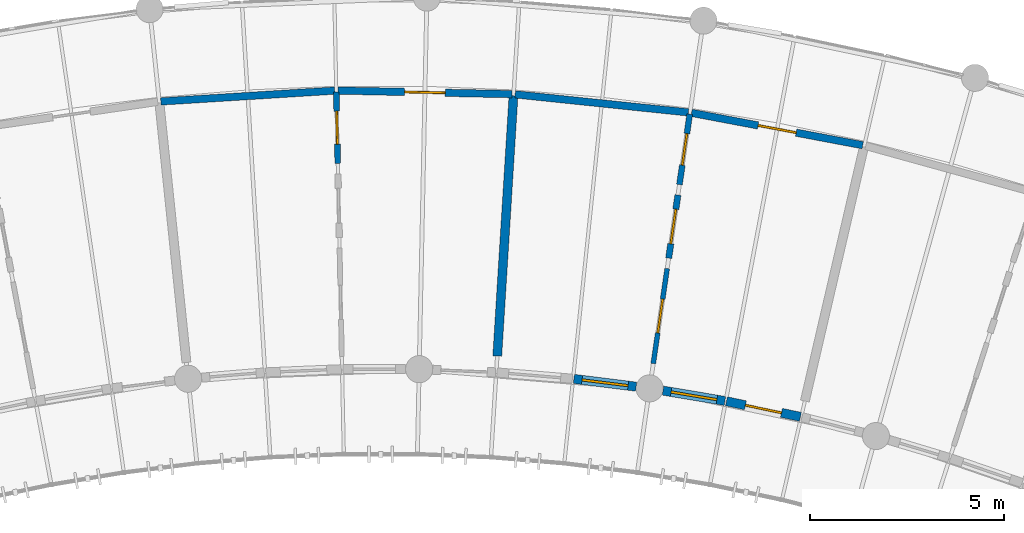
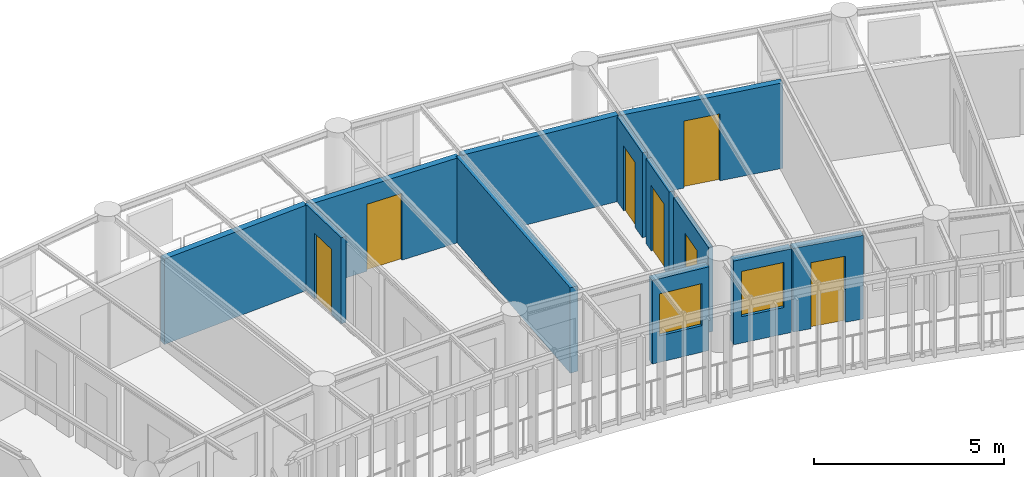
# One storey, part 107 of 137: 12 walls, 7 doors, 2 windows, 9 openings.
"""IFC4 building model written with IfcOpenShell, lengths in metres."""

from ifc_helpers import new_model, si_unit, direction, frame, frame_2d, origin, place, context, subcontext, project, spatial, rectangle, extrude, material, layer, layer_set, type_object, element, fill, save


model = new_model("IFC4")

# Units and contexts
model_context = context("Model", 3, precision=1e-05, world=origin(), true_north=direction((0.0, 1.0)))
body_context = subcontext(model_context, "Body", "Model", "MODEL_VIEW")
ifc_project = project(units=[si_unit("LENGTHUNIT", "METRE"), si_unit("AREAUNIT", "SQUARE_METRE"), si_unit("VOLUMEUNIT", "CUBIC_METRE"), si_unit("PLANEANGLEUNIT", "RADIAN"), si_unit("MASSUNIT", "GRAM", prefix="KILO"), si_unit("POWERUNIT", "WATT"), si_unit("THERMODYNAMICTEMPERATUREUNIT", "KELVIN")], contexts=[model_context])

# Site, building, storey
site_placement = place(None, origin())
site = spatial("IfcSite", under=ifc_project, at=site_placement, CompositionType="ELEMENT")
building_placement = place(site_placement, origin())
building = spatial("IfcBuilding", under=site, at=building_placement, Name="Ruvembo Vaulted Housing Court", CompositionType="ELEMENT")
storey_placement = place(building_placement, frame((0.0, 0.0, 4.5)))
storey = spatial("IfcBuildingStorey", under=building, at=storey_placement, Name="L01", CompositionType="ELEMENT", Elevation=4.5)

# Wall
ifc_material_1 = material(Name="Concrete Blockwork 190", Category="masonry")
ifc_layer_1 = layer(ifc_material_1, 0.18994140625, Name="Concrete Blockwork 190")
ifc_layer_set_1 = layer_set([ifc_layer_1], Name="Concrete Blockwork 190")
wall_type_1 = type_object("IfcWallType", Name="WL-CORR-190", PredefinedType="SOLIDWALL", material=ifc_layer_set_1)
wall_1_placement = place(storey_placement, frame((111.32177734375, 104.905517578125, 0.0), z_axis=(0.0, 0.0, 1.0), x_axis=(0.998063116084, 0.062209455176, 0.0)))
element("IfcWall", 1, at=wall_1_placement, inside=storey, type_object=wall_type_1, Name="L01 Suite SC3-L01-U4 Gallery Wall WL-INT-L01-00458", PredefinedType="SOLIDWALL", context=body_context, shape_type="SweptSolid", body=[
    extrude(rectangle(XDim=4.50146484375, YDim=0.18994140625, at=frame_2d((2.250732421875, 0.0))), origin(), (0.0, 0.0, 1.0), 2.741943359375),
])

# Wall, opening, door
wall_2_placement = place(storey_placement, frame((115.894287109375, 105.187255859375, 0.0), z_axis=(0.0, 0.0, 1.0), x_axis=(0.999785356511, -0.020718129879, 0.0)))
wall_2 = element("IfcWall", 2, at=wall_2_placement, inside=storey, type_object=wall_type_1, Name="L01 Suite SC3-L01-U4 Entrance WL-INT-L01-00459", PredefinedType="SOLIDWALL", context=body_context, shape_type="SweptSolid", body=[
    extrude(rectangle(XDim=4.50146484375, YDim=0.18994140625, at=frame_2d((2.250732421875, 0.0))), origin(), (0.0, 0.0, 1.0), 2.721923828125),
])
opening_1_placement = place(wall_2_placement, frame((1.7255859375, 0.0, 0.0)))
opening_1 = element("IfcOpeningElement", 3, at=opening_1_placement, cuts=wall_2, Name="Opening FD3", PredefinedType="OPENING", context=body_context, shape_type="SweptSolid", body=[
    extrude(rectangle(XDim=1.050048828125, YDim=2.14990234375, at=frame_2d((0.52490234375, 1.074951171875))), frame((0.0, 0.10498046875, 0.0), z_axis=(0.0, -1.0, 0.0), x_axis=(1.0, 0.0, 0.0)), (0.0, 0.0, 1.0), 0.2099609375),
])
ifc_material_2 = material(Name="FSC Hardwood and Engineered Timber", Category="wood")
door_type_1 = type_object("IfcDoorType", Name="DR-FLAT-1050x2150", OperationType="NOTDEFINED", PredefinedType="DOOR", material=ifc_material_2)
door_1_placement = place(opening_1_placement, origin())
door_1 = element("IfcDoor", 4, at=door_1_placement, inside=storey, type_object=door_type_1, Name="L01 Suite SC3-L01-U4 Entrance Door DR-INT-L01-00248", OperationType="SINGLE_SWING_RIGHT", OverallHeight=2.14990234375, OverallWidth=1.050048828125, PredefinedType="DOOR", context=body_context, shape_type="SweptSolid", body=[
    extrude(rectangle(XDim=1.050048828125, YDim=2.14990234375, at=frame_2d((0.52490234375, 1.074951171875))), frame((0.0, 0.02490234375, 0.0), z_axis=(0.0, -1.0, 0.0), x_axis=(1.0, 0.0, 0.0)), (0.0, 0.0, 1.0), 0.050048828125),
])
fill(opening_1, door_1)

# Wall
wall_3_placement = place(storey_placement, frame((120.474609375, 105.089111328125, 0.0), z_axis=(0.0, 0.0, 1.0), x_axis=(0.994614565886, -0.103642970468, 0.0)))
element("IfcWall", 5, at=wall_3_placement, inside=storey, type_object=wall_type_1, Name="L01 Suite SC3-L01-U5 Gallery Wall WL-INT-L01-00464", PredefinedType="SOLIDWALL", context=body_context, shape_type="SweptSolid", body=[
    extrude(rectangle(XDim=4.50146484375, YDim=0.18994140625, at=frame_2d((2.250732421875, 0.0))), origin(), (0.0, 0.0, 1.0), 2.761962890625),
])

# Wall, opening, door
wall_4_placement = place(storey_placement, frame((125.031005859375, 104.611083984375, 0.0), z_axis=(0.0, 0.0, 1.0), x_axis=(0.982595404078, -0.18575863879, 0.0)))
wall_4 = element("IfcWall", 6, at=wall_4_placement, inside=storey, type_object=wall_type_1, Name="L01 Suite SC3-L01-U5 Entrance WL-INT-L01-00465", PredefinedType="SOLIDWALL", context=body_context, shape_type="SweptSolid", body=[
    extrude(rectangle(XDim=4.50146484375, YDim=0.18994140625, at=frame_2d((2.250732421875, 0.0))), origin(), (0.0, 0.0, 1.0), 2.741943359375),
])
opening_2_placement = place(wall_4_placement, frame((1.750732421875, 0.0, 0.0)))
opening_2 = element("IfcOpeningElement", 7, at=opening_2_placement, cuts=wall_4, Name="Opening FD1", PredefinedType="OPENING", context=body_context, shape_type="SweptSolid", body=[
    extrude(rectangle(XDim=1.0, YDim=2.14990234375, at=frame_2d((0.5, 1.074951171875))), frame((0.0, 0.10498046875, 0.0), z_axis=(0.0, -1.0, 0.0), x_axis=(1.0, 0.0, 0.0)), (0.0, 0.0, 1.0), 0.2099609375),
])
door_type_2 = type_object("IfcDoorType", Name="DR-FLAT-1000x2150", OperationType="NOTDEFINED", PredefinedType="DOOR", material=ifc_material_2)
door_2_placement = place(opening_2_placement, origin())
door_2 = element("IfcDoor", 8, at=door_2_placement, inside=storey, type_object=door_type_2, Name="L01 Suite SC3-L01-U5 Entrance Door DR-INT-L01-00252", OperationType="SINGLE_SWING_RIGHT", OverallHeight=2.14990234375, OverallWidth=1.0, PredefinedType="DOOR", context=body_context, shape_type="SweptSolid", body=[
    extrude(rectangle(XDim=1.0, YDim=2.14990234375, at=frame_2d((0.5, 1.074951171875))), frame((0.0, 0.02490234375, 0.0), z_axis=(0.0, -1.0, 0.0), x_axis=(1.0, 0.0, 0.0)), (0.0, 0.0, 1.0), 0.050048828125),
])
fill(opening_2, door_2)

# Wall
ifc_material_3 = material(Name="Acoustic Masonry Demising 230", Category="masonry")
ifc_layer_2 = layer(ifc_material_3, 0.22998046875, Name="Acoustic Masonry Demising 230")
ifc_layer_set_2 = layer_set([ifc_layer_2], Name="Acoustic Masonry Demising 230")
wall_type_2 = type_object("IfcWallType", Name="WL-DEM-230", PredefinedType="SOLIDWALL", material=ifc_layer_set_2)
wall_5_placement = place(storey_placement, frame((120.01318359375, 98.330078125, 0.0), z_axis=(0.0, 0.0, 1.0), x_axis=(0.062229364488, 0.998061874933, 0.0)))
element("IfcWall", 9, at=wall_5_placement, inside=storey, type_object=wall_type_2, Name="L01 Suite SC3-L01-U4 Demising WL-INT-L01-00463", PredefinedType="SOLIDWALL", context=body_context, shape_type="SweptSolid", body=[
    extrude(rectangle(XDim=6.736083984375, YDim=0.22998046875, at=frame_2d((3.3681640625, 0.0))), origin(), (0.0, 0.0, 1.0), 2.741943359375),
])

# Wall, opening, window
ifc_material_4 = material(Name="Rendered Masonry 235", Category="masonry")
ifc_layer_3 = layer(ifc_material_4, 0.235107421875, Name="Rendered Masonry 235")
ifc_layer_set_3 = layer_set([ifc_layer_3], Name="Rendered Masonry 235")
wall_type_3 = type_object("IfcWallType", Name="WL-EXT-235", PredefinedType="STANDARD", material=ifc_layer_set_3)
wall_6_placement = place(storey_placement, frame((121.9921875, 97.7392578125, 0.0), z_axis=(0.0, 0.0, 1.0), x_axis=(0.992263980046, -0.124145857376, 0.0)))
wall_6 = element("IfcWall", 10, at=wall_6_placement, inside=storey, type_object=wall_type_3, Name="Scoop SC3 L01 Concave Balcony Wall 17", PredefinedType="STANDARD", context=body_context, shape_type="SweptSolid", body=[
    extrude(rectangle(XDim=1.622314453125, YDim=0.235107421875, at=frame_2d((0.81103515625, 0.0))), origin(), (0.0, 0.0, 1.0), 2.68408203125),
])
opening_3_placement = place(wall_6_placement, frame((0.211181640625, 0.0, 0.85009765625)))
opening_3 = element("IfcOpeningElement", 11, at=opening_3_placement, cuts=wall_6, Name="Opening W12", PredefinedType="OPENING", context=body_context, shape_type="SweptSolid", body=[
    extrude(rectangle(XDim=1.199951171875, YDim=1.35009765625, at=frame_2d((0.60009765625, 0.675048828125))), frame((0.0, 0.12744140625, 0.0), z_axis=(0.0, -1.0, 0.0), x_axis=(1.0, 0.0, 0.0)), (0.0, 0.0, 1.0), 0.255126953125),
])
ifc_material_5 = material(Name="Double Solar-Control Glazing in Aluminium Frame", Category="aluminium")
window_type_1 = type_object("IfcWindowType", Name="WIN-1200x1350", PartitioningType="SINGLE_PANEL", PredefinedType="WINDOW", material=ifc_material_5)
window_1_placement = place(opening_3_placement, origin())
window_1 = element("IfcWindow", 12, at=window_1_placement, inside=storey, type_object=window_type_1, Name="Scoop SC3 L01 Concave Window 17", OverallHeight=1.35009765625, OverallWidth=1.199951171875, PartitioningType="SINGLE_PANEL", PredefinedType="WINDOW", context=body_context, shape_type="SweptSolid", body=[
    extrude(rectangle(XDim=1.199951171875, YDim=1.35009765625, at=frame_2d((0.60009765625, 0.675048828125))), frame((0.0, 0.030029296875, 0.0), z_axis=(0.0, -1.0, 0.0), x_axis=(1.0, 0.0, 0.0)), (0.0, 0.0, 1.0), 0.06005859375),
])
fill(opening_3, window_1)

wall_7_placement = place(storey_placement, frame((124.29443359375, 97.436279296875, 0.0), z_axis=(0.0, 0.0, 1.0), x_axis=(0.986255294666, -0.16522861055, 0.0)))
wall_7 = element("IfcWall", 13, at=wall_7_placement, inside=storey, type_object=wall_type_3, Name="Scoop SC3 L01 Concave Balcony Wall 18", PredefinedType="STANDARD", context=body_context, shape_type="SweptSolid", body=[
    extrude(rectangle(XDim=1.622314453125, YDim=0.235107421875, at=frame_2d((0.81103515625, 0.0))), origin(), (0.0, 0.0, 1.0), 2.68408203125),
])
opening_4_placement = place(wall_7_placement, frame((0.211181640625, 0.0, 0.85009765625)))
opening_4 = element("IfcOpeningElement", 14, at=opening_4_placement, cuts=wall_7, Name="Opening W13", PredefinedType="OPENING", context=body_context, shape_type="SweptSolid", body=[
    extrude(rectangle(XDim=1.199951171875, YDim=1.449951171875, at=frame_2d((0.60009765625, 0.72509765625))), frame((0.0, 0.12744140625, 0.0), z_axis=(0.0, -1.0, 0.0), x_axis=(1.0, 0.0, 0.0)), (0.0, 0.0, 1.0), 0.255126953125),
])
window_type_2 = type_object("IfcWindowType", Name="WIN-1200x1450", PartitioningType="SINGLE_PANEL", PredefinedType="WINDOW", material=ifc_material_5)
window_2_placement = place(opening_4_placement, origin())
window_2 = element("IfcWindow", 15, at=window_2_placement, inside=storey, type_object=window_type_2, Name="Scoop SC3 L01 Concave Window 18", OverallHeight=1.449951171875, OverallWidth=1.199951171875, PartitioningType="SINGLE_PANEL", PredefinedType="WINDOW", context=body_context, shape_type="SweptSolid", body=[
    extrude(rectangle(XDim=1.199951171875, YDim=1.449951171875, at=frame_2d((0.60009765625, 0.72509765625))), frame((0.0, 0.030029296875, 0.0), z_axis=(0.0, -1.0, 0.0), x_axis=(1.0, 0.0, 0.0)), (0.0, 0.0, 1.0), 0.06005859375),
])
fill(opening_4, window_2)

# Wall, opening, door
wall_8_placement = place(storey_placement, frame((125.933837890625, 97.160888671875, 0.0), z_axis=(0.0, 0.0, 1.0), x_axis=(0.978533860292, -0.206086108851, 0.0)))
wall_8 = element("IfcWall", 16, at=wall_8_placement, inside=storey, type_object=wall_type_3, Name="Scoop SC3 L01 Concave Balcony Wall 19", PredefinedType="STANDARD", context=body_context, shape_type="SweptSolid", body=[
    extrude(rectangle(XDim=1.952392578125, YDim=0.235107421875, at=frame_2d((0.97607421875, 0.0))), origin(), (0.0, 0.0, 1.0), 2.68408203125),
])
opening_5_placement = place(wall_8_placement, frame((0.501220703125, 0.0, 0.0)))
opening_5 = element("IfcOpeningElement", 17, at=opening_5_placement, cuts=wall_8, Name="Opening BD0", PredefinedType="OPENING", context=body_context, shape_type="SweptSolid", body=[
    extrude(rectangle(XDim=0.949951171875, YDim=2.1201171875, at=frame_2d((0.47509765625, 1.06005859375))), frame((0.0, 0.12744140625, 0.0), z_axis=(0.0, -1.0, 0.0), x_axis=(1.0, 0.0, 0.0)), (0.0, 0.0, 1.0), 0.255126953125),
])
ifc_material_6 = material(Name="Thermally Broken Glazed Aluminium", Category="aluminium")
door_type_3 = type_object("IfcDoorType", Name="DR-BAL-0950x2120", OperationType="NOTDEFINED", PredefinedType="DOOR", material=ifc_material_6)
door_3_placement = place(opening_5_placement, frame((0.949951171875, 0.0, 0.0), z_axis=(0.0, 0.0, 1.0), x_axis=(-1.0, 0.0, 0.0)))
door_3 = element("IfcDoor", 18, at=door_3_placement, inside=storey, type_object=door_type_3, Name="Scoop SC3 L01 Balcony Door 19", OperationType="SINGLE_SWING_LEFT", OverallHeight=2.1201171875, OverallWidth=0.949951171875, PredefinedType="DOOR", context=body_context, shape_type="SweptSolid", body=[
    extrude(rectangle(XDim=0.949951171875, YDim=2.1201171875, at=frame_2d((0.47509765625, 1.06005859375))), frame((0.0, 0.02490234375, 0.0), z_axis=(0.0, -1.0, 0.0), x_axis=(1.0, 0.0, 0.0)), (0.0, 0.0, 1.0), 0.050048828125),
])
fill(opening_5, door_3)

ifc_material_7 = material(Name="Plasterboard Stud Partition 125", Category="gypsum")
ifc_layer_4 = layer(ifc_material_7, 0.125, Name="Plasterboard Stud Partition 125")
ifc_layer_set_4 = layer_set([ifc_layer_4], Name="Plasterboard Stud Partition 125")
wall_type_4 = type_object("IfcWallType", Name="WL-PART-125", PredefinedType="PARTITIONING", material=ifc_layer_set_4)
wall_9_placement = place(storey_placement, frame((124.043212890625, 98.135498046875, 0.0), z_axis=(0.0, 0.0, 1.0), x_axis=(0.1447145522, 0.989473445011, 0.0)))
wall_9 = element("IfcWall", 19, at=wall_9_placement, inside=storey, type_object=wall_type_4, Name="L01 Suite SC3-L01-U5 Bedroom WL-INT-L01-00466", PredefinedType="PARTITIONING", context=body_context, shape_type="SweptSolid", body=[
    extrude(rectangle(XDim=2.47998046875, YDim=0.125, at=frame_2d((1.239990234375, 0.0))), origin(), (0.0, 0.0, 1.0), 2.721923828125),
])
opening_6_placement = place(wall_9_placement, frame((0.800048828125, 0.0, 0.0)))
opening_6 = element("IfcOpeningElement", 20, at=opening_6_placement, cuts=wall_9, Name="Opening ID3", PredefinedType="OPENING", context=body_context, shape_type="SweptSolid", body=[
    extrude(rectangle(XDim=0.8798828125, YDim=2.10009765625, at=frame_2d((0.43994140625, 1.050048828125))), frame((0.0, 0.072509765625, 0.0), z_axis=(0.0, -1.0, 0.0), x_axis=(1.0, 0.0, 0.0)), (0.0, 0.0, 1.0), 0.14501953125),
])
door_type_4 = type_object("IfcDoorType", Name="DR-ROOM-0880x2100", OperationType="NOTDEFINED", PredefinedType="DOOR", material=ifc_material_2)
door_4_placement = place(opening_6_placement, origin())
door_4 = element("IfcDoor", 21, at=door_4_placement, inside=storey, type_object=door_type_4, Name="L01 Suite SC3-L01-U5 Bedroom Door DR-INT-L01-00253", OperationType="SINGLE_SWING_LEFT", OverallHeight=2.10009765625, OverallWidth=0.8798828125, PredefinedType="DOOR", context=body_context, shape_type="SweptSolid", body=[
    extrude(rectangle(XDim=0.8798828125, YDim=2.10009765625, at=frame_2d((0.43994140625, 1.050048828125))), frame((0.0, 0.02490234375, 0.0), z_axis=(0.0, -1.0, 0.0), x_axis=(1.0, 0.0, 0.0)), (0.0, 0.0, 1.0), 0.050048828125),
])
fill(opening_6, door_4)

ifc_material_8 = material(Name="Moisture-Resistant Wet Partition 150", Category="gypsum")
ifc_layer_5 = layer(ifc_material_8, 0.14990234375, Name="Moisture-Resistant Wet Partition 150")
ifc_layer_set_5 = layer_set([ifc_layer_5], Name="Moisture-Resistant Wet Partition 150")
wall_type_5 = type_object("IfcWallType", Name="WL-PART-150", PredefinedType="PARTITIONING", material=ifc_layer_set_5)
wall_10_placement = place(storey_placement, frame((115.893310546875, 103.30859375, 0.0), z_axis=(0.0, 0.0, 1.0), x_axis=(-0.020698948586, 0.999785753813, 0.0)))
wall_10 = element("IfcWall", 22, at=wall_10_placement, inside=storey, type_object=wall_type_5, Name="L01 Suite SC3-L01-U4 Bathroom WL-INT-L01-00462", PredefinedType="PARTITIONING", context=body_context, shape_type="SweptSolid", body=[
    extrude(rectangle(XDim=1.840087890625, YDim=0.14990234375, at=frame_2d((0.919921875, 0.0))), origin(), (0.0, 0.0, 1.0), 2.761962890625),
])
opening_7_placement = place(wall_10_placement, frame((0.4951171875, 0.0, 0.0)))
opening_7 = element("IfcOpeningElement", 23, at=opening_7_placement, cuts=wall_10, Name="Opening ID2", PredefinedType="OPENING", context=body_context, shape_type="SweptSolid", body=[
    extrude(rectangle(XDim=0.85009765625, YDim=2.10009765625, at=frame_2d((0.425048828125, 1.050048828125))), frame((0.0, 0.0849609375, 0.0), z_axis=(0.0, -1.0, 0.0), x_axis=(1.0, 0.0, 0.0)), (0.0, 0.0, 1.0), 0.169921875),
])
door_type_5 = type_object("IfcDoorType", Name="DR-WET-0850x2100", OperationType="NOTDEFINED", PredefinedType="DOOR", material=ifc_material_2)
door_5_placement = place(opening_7_placement, origin())
door_5 = element("IfcDoor", 24, at=door_5_placement, inside=storey, type_object=door_type_5, Name="L01 Suite SC3-L01-U4 Bathroom Door DR-INT-L01-00251", OperationType="SINGLE_SWING_LEFT", OverallHeight=2.10009765625, OverallWidth=0.85009765625, PredefinedType="DOOR", context=body_context, shape_type="SweptSolid", body=[
    extrude(rectangle(XDim=0.85009765625, YDim=2.10009765625, at=frame_2d((0.425048828125, 1.050048828125))), frame((0.0, 0.02490234375, 0.0), z_axis=(0.0, -1.0, 0.0), x_axis=(1.0, 0.0, 0.0)), (0.0, 0.0, 1.0), 0.050048828125),
])
fill(opening_7, door_5)

wall_11_placement = place(storey_placement, frame((124.719482421875, 102.75830078125, 0.0), z_axis=(0.0, 0.0, 1.0), x_axis=(0.144764326796, 0.989466163993, 0.0)))
wall_11 = element("IfcWall", 25, at=wall_11_placement, inside=storey, type_object=wall_type_5, Name="L01 Suite SC3-L01-U5 Bathroom WL-INT-L01-00468", PredefinedType="PARTITIONING", context=body_context, shape_type="SweptSolid", body=[
    extrude(rectangle(XDim=1.83984375, YDim=0.14990234375, at=frame_2d((0.919921875, 0.0))), origin(), (0.0, 0.0, 1.0), 2.721923828125),
])
opening_8_placement = place(wall_11_placement, frame((0.510009765625, 0.0, 0.0)))
opening_8 = element("IfcOpeningElement", 26, at=opening_8_placement, cuts=wall_11, Name="Opening ID4", PredefinedType="OPENING", context=body_context, shape_type="SweptSolid", body=[
    extrude(rectangle(XDim=0.820068359375, YDim=2.080078125, at=frame_2d((0.41015625, 1.0400390625))), frame((0.0, 0.0849609375, 0.0), z_axis=(0.0, -1.0, 0.0), x_axis=(1.0, 0.0, 0.0)), (0.0, 0.0, 1.0), 0.169921875),
])
door_type_6 = type_object("IfcDoorType", Name="DR-WET-0820x2080", OperationType="NOTDEFINED", PredefinedType="DOOR", material=ifc_material_2)
door_6_placement = place(opening_8_placement, origin())
door_6 = element("IfcDoor", 27, at=door_6_placement, inside=storey, type_object=door_type_6, Name="L01 Suite SC3-L01-U5 Bathroom Door DR-INT-L01-00255", OperationType="SINGLE_SWING_LEFT", OverallHeight=2.080078125, OverallWidth=0.820068359375, PredefinedType="DOOR", context=body_context, shape_type="SweptSolid", body=[
    extrude(rectangle(XDim=0.820068359375, YDim=2.080078125, at=frame_2d((0.41015625, 1.0400390625))), frame((0.0, 0.02490234375, 0.0), z_axis=(0.0, -1.0, 0.0), x_axis=(1.0, 0.0, 0.0)), (0.0, 0.0, 1.0), 0.050048828125),
])
fill(opening_8, door_6)

ifc_material_9 = material(Name="Acoustic Service Chase Wall 160", Category="gypsum")
ifc_layer_6 = layer(ifc_material_9, 0.159912109375, Name="Acoustic Service Chase Wall 160")
ifc_layer_set_6 = layer_set([ifc_layer_6], Name="Acoustic Service Chase Wall 160")
wall_type_6 = type_object("IfcWallType", Name="WL-PLUMB-160", PredefinedType="PLUMBINGWALL", material=ifc_layer_set_6)
wall_12_placement = place(storey_placement, frame((124.44140625, 100.8583984375, 0.0), z_axis=(0.0, 0.0, 1.0), x_axis=(0.144884079374, 0.989448636132, 0.0)))
wall_12 = element("IfcWall", 28, at=wall_12_placement, inside=storey, type_object=wall_type_6, Name="L01 Suite SC3-L01-U5 Kitchen WL-INT-L01-00467", PredefinedType="PLUMBINGWALL", context=body_context, shape_type="SweptSolid", body=[
    extrude(rectangle(XDim=1.64794921875, YDim=0.159912109375, at=frame_2d((0.823974609375, 0.0))), origin(), (0.0, 0.0, 1.0), 2.721923828125),
])
opening_9_placement = place(wall_12_placement, frame((0.3740234375, 0.0, 0.0)))
opening_9 = element("IfcOpeningElement", 29, at=opening_9_placement, cuts=wall_12, Name="Opening ID1", PredefinedType="OPENING", context=body_context, shape_type="SweptSolid", body=[
    extrude(rectangle(XDim=0.89990234375, YDim=2.10009765625, at=frame_2d((0.449951171875, 1.050048828125))), frame((0.0, 0.08984375, 0.0), z_axis=(0.0, -1.0, 0.0), x_axis=(1.0, 0.0, 0.0)), (0.0, 0.0, 1.0), 0.179931640625),
])
door_type_7 = type_object("IfcDoorType", Name="DR-ROOM-0900x2100", OperationType="NOTDEFINED", PredefinedType="DOOR", material=ifc_material_2)
door_7_placement = place(opening_9_placement, origin())
door_7 = element("IfcDoor", 30, at=door_7_placement, inside=storey, type_object=door_type_7, Name="L01 Suite SC3-L01-U5 Kitchen Door DR-INT-L01-00254", OperationType="SINGLE_SWING_RIGHT", OverallHeight=2.10009765625, OverallWidth=0.89990234375, PredefinedType="DOOR", context=body_context, shape_type="SweptSolid", body=[
    extrude(rectangle(XDim=0.89990234375, YDim=2.10009765625, at=frame_2d((0.449951171875, 1.050048828125))), frame((0.0, 0.02490234375, 0.0), z_axis=(0.0, -1.0, 0.0), x_axis=(1.0, 0.0, 0.0)), (0.0, 0.0, 1.0), 0.050048828125),
])
fill(opening_9, door_7)

save(model, "model.ifc")
